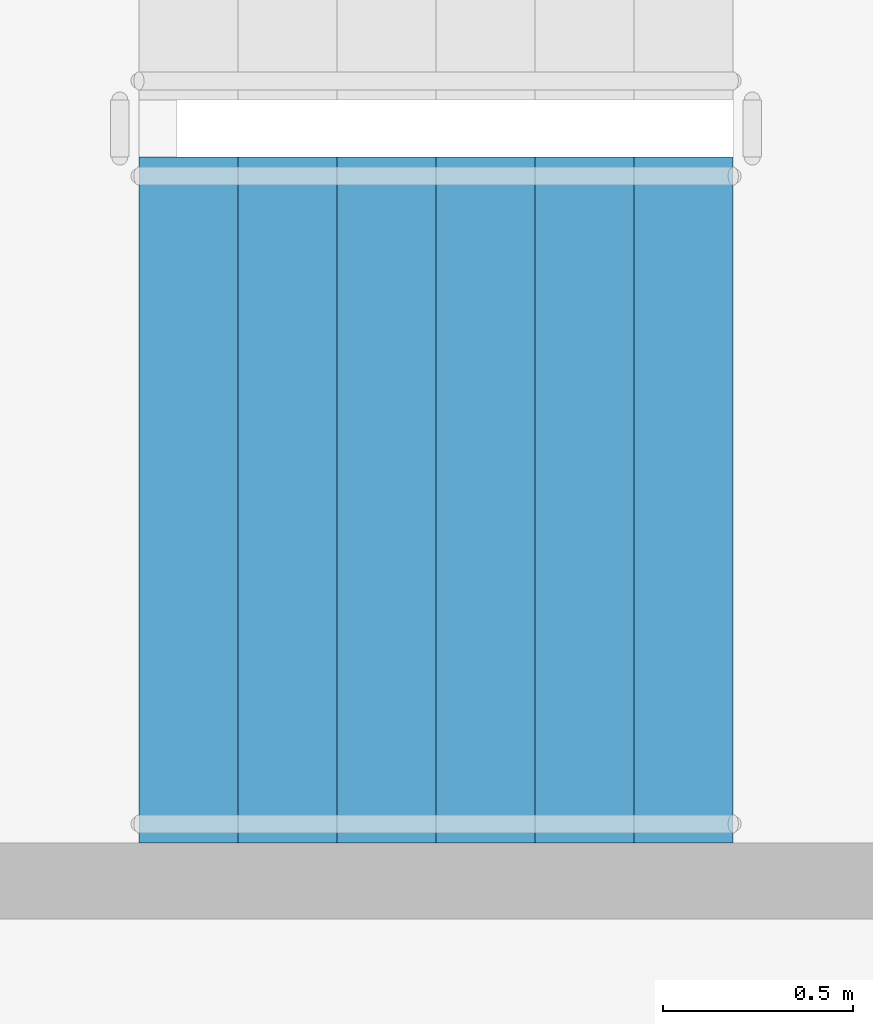
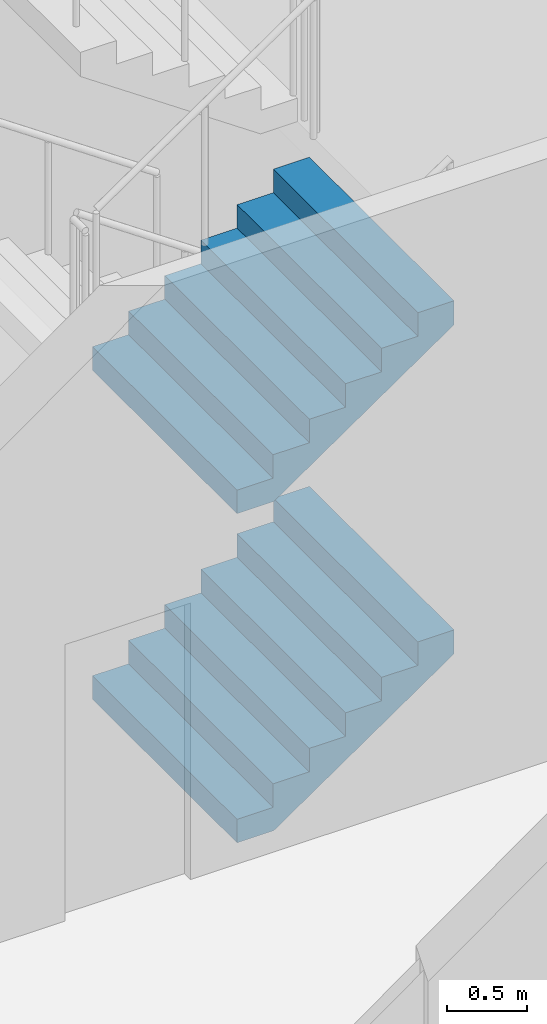
# One storey, part 26 of 59: 2 stair flights, 1 element without a shape of its own.
"""IFC4 building model written with IfcOpenShell, lengths in metres."""

from ifc_helpers import new_model, si_unit, direction, frame, origin, place, context, subcontext, project, spatial, faceted_brep, material, type_object, element, aggregate, save


model = new_model("IFC4")

# Units and contexts
model_context = context("Model", 3, precision=1e-05, world=origin(), true_north=direction((0.0, 1.0)))
body_context = subcontext(model_context, "Body", "Model", "MODEL_VIEW")
ifc_project = project(units=[si_unit("LENGTHUNIT", "METRE"), si_unit("AREAUNIT", "SQUARE_METRE"), si_unit("VOLUMEUNIT", "CUBIC_METRE"), si_unit("PLANEANGLEUNIT", "RADIAN"), si_unit("MASSUNIT", "GRAM", prefix="KILO")], contexts=[model_context])

# Site, building, storey
site_placement = place(None, origin())
site = spatial("IfcSite", under=ifc_project, at=site_placement, CompositionType="ELEMENT")
building_placement = place(site_placement, origin())
building = spatial("IfcBuilding", under=site, at=building_placement, Name="Ipe Terrace Towers", CompositionType="ELEMENT")
storey_placement = place(building_placement, frame((0.0, 0.0, 6.0)))
storey = spatial("IfcBuildingStorey", under=building, at=storey_placement, Name="L01", CompositionType="ELEMENT", Elevation=6.0)

# Stair, stair flights
ifc_material_1 = material(Name="Concrete C30/37", Category="concrete")
stair_type = type_object("IfcStairType", Name="Protected exit stair", PredefinedType="HALF_TURN_STAIR", material=ifc_material_1)
stair_placement = place(storey_placement, origin())
stair = element("IfcStair", 1, at=stair_placement, inside=storey, type_object=stair_type, Name="L01 Podium exit stair PS4", PredefinedType="HALF_TURN_STAIR")
ifc_material_2 = material(Name="Concrete C30/37", Category="concrete")
stair_flight_type = type_object("IfcStairFlightType", Name="Exit stair flight 1800", PredefinedType="STRAIGHT", material=ifc_material_2)
stair_flight_1_placement = place(storey_placement, frame((-57.27001953125, -22.5, 0.0), z_axis=(0.0, 0.0, 1.0), x_axis=(1.0, 0.0, 0.0)))
stair_flight_1 = element("IfcStairFlight", 2, at=stair_flight_1_placement, type_object=stair_flight_type, Name="PS4 flight 1", NumberOfRisers=7, NumberOfTreads=6, PredefinedType="STRAIGHT", RiserHeight=0.178571429, TreadLength=0.26, context=body_context, shape_type="Brep", body=[
    faceted_brep([(0.264892578125, -0.89990234375, 0.0), (1.56005859375, -0.89990234375, 0.8896484375), (1.56005859375, -0.89990234375, 1.071533203125), (1.300048828125, -0.89990234375, 1.071533203125), (1.300048828125, -0.89990234375, 0.892822265625), (1.0400390625, -0.89990234375, 0.892822265625), (1.0400390625, -0.89990234375, 0.71435546875), (0.780029296875, -0.89990234375, 0.71435546875), (0.780029296875, -0.89990234375, 0.53564453125), (0.52001953125, -0.89990234375, 0.53564453125), (0.52001953125, -0.89990234375, 0.357177734375), (0.260009765625, -0.89990234375, 0.357177734375), (0.260009765625, -0.89990234375, 0.178466796875), (0.0, -0.89990234375, 0.178466796875), (0.0, -0.89990234375, 0.0), (0.0, 0.89990234375, 0.0), (0.0, 0.89990234375, 0.178466796875), (0.260009765625, 0.89990234375, 0.178466796875), (0.260009765625, 0.89990234375, 0.357177734375), (0.52001953125, 0.89990234375, 0.357177734375), (0.52001953125, 0.89990234375, 0.53564453125), (0.780029296875, 0.89990234375, 0.53564453125), (0.780029296875, 0.89990234375, 0.71435546875), (1.0400390625, 0.89990234375, 0.71435546875), (1.0400390625, 0.89990234375, 0.892822265625), (1.300048828125, 0.89990234375, 0.892822265625), (1.300048828125, 0.89990234375, 1.071533203125), (1.56005859375, 0.89990234375, 1.071533203125), (1.56005859375, 0.89990234375, 0.8896484375), (0.264892578125, 0.89990234375, 0.0), (0.0, -0.300048828125, 0.178466796875), (0.0, -0.1201171875, 0.178466796875), (0.0, -0.06005859375, 0.178466796875), (0.0, -0.030029296875, 0.178466796875), (0.0, -0.010009765625, 0.178466796875), (0.0, 0.0, 0.178466796875), (0.0, 0.010009765625, 0.178466796875), (0.0, 0.030029296875, 0.178466796875), (0.0, 0.06005859375, 0.178466796875), (0.0, 0.1201171875, 0.178466796875), (0.0, 0.300048828125, 0.178466796875), (0.0, 0.300048828125, 0.0), (0.0, 0.1201171875, 0.0), (0.0, 0.06005859375, 0.0), (0.0, 0.030029296875, 0.0), (0.0, 0.010009765625, 0.0), (0.0, 0.0, 0.0), (0.0, -0.010009765625, 0.0), (0.0, -0.030029296875, 0.0), (0.0, -0.06005859375, 0.0), (0.0, -0.1201171875, 0.0), (0.0, -0.300048828125, 0.0), (0.260009765625, -0.300048828125, 0.178466796875), (0.260009765625, -0.1201171875, 0.178466796875), (0.260009765625, -0.06005859375, 0.178466796875), (0.260009765625, -0.030029296875, 0.178466796875), (0.260009765625, -0.010009765625, 0.178466796875), (0.260009765625, 0.0, 0.178466796875), (0.260009765625, 0.010009765625, 0.178466796875), (0.260009765625, 0.030029296875, 0.178466796875), (0.260009765625, 0.06005859375, 0.178466796875), (0.260009765625, 0.1201171875, 0.178466796875), (0.260009765625, 0.300048828125, 0.178466796875), (0.260009765625, -0.300048828125, 0.357177734375), (0.260009765625, -0.1201171875, 0.357177734375), (0.260009765625, -0.06005859375, 0.357177734375), (0.260009765625, -0.030029296875, 0.357177734375), (0.260009765625, -0.010009765625, 0.357177734375), (0.260009765625, 0.0, 0.357177734375), (0.260009765625, 0.010009765625, 0.357177734375), (0.260009765625, 0.030029296875, 0.357177734375), (0.260009765625, 0.06005859375, 0.357177734375), (0.260009765625, 0.1201171875, 0.357177734375), (0.260009765625, 0.300048828125, 0.357177734375), (0.52001953125, -0.300048828125, 0.357177734375), (0.52001953125, -0.1201171875, 0.357177734375), (0.52001953125, -0.06005859375, 0.357177734375), (0.52001953125, -0.030029296875, 0.357177734375), (0.52001953125, -0.010009765625, 0.357177734375), (0.52001953125, 0.0, 0.357177734375), (0.52001953125, 0.010009765625, 0.357177734375), (0.52001953125, 0.030029296875, 0.357177734375), (0.52001953125, 0.06005859375, 0.357177734375), (0.52001953125, 0.1201171875, 0.357177734375), (0.52001953125, 0.300048828125, 0.357177734375), (0.52001953125, -0.300048828125, 0.53564453125), (0.52001953125, -0.1201171875, 0.53564453125), (0.52001953125, -0.06005859375, 0.53564453125), (0.52001953125, -0.030029296875, 0.53564453125), (0.52001953125, -0.010009765625, 0.53564453125), (0.52001953125, 0.0, 0.53564453125), (0.52001953125, 0.010009765625, 0.53564453125), (0.52001953125, 0.030029296875, 0.53564453125), (0.52001953125, 0.06005859375, 0.53564453125), (0.52001953125, 0.1201171875, 0.53564453125), (0.52001953125, 0.300048828125, 0.53564453125), (0.780029296875, -0.300048828125, 0.53564453125), (0.780029296875, -0.1201171875, 0.53564453125), (0.780029296875, -0.06005859375, 0.53564453125), (0.780029296875, -0.030029296875, 0.53564453125), (0.780029296875, -0.010009765625, 0.53564453125), (0.780029296875, 0.0, 0.53564453125), (0.780029296875, 0.010009765625, 0.53564453125), (0.780029296875, 0.030029296875, 0.53564453125), (0.780029296875, 0.06005859375, 0.53564453125), (0.780029296875, 0.1201171875, 0.53564453125), (0.780029296875, 0.300048828125, 0.53564453125), (0.780029296875, -0.300048828125, 0.71435546875), (0.780029296875, -0.1201171875, 0.71435546875), (0.780029296875, -0.06005859375, 0.71435546875), (0.780029296875, -0.030029296875, 0.71435546875), (0.780029296875, -0.010009765625, 0.71435546875), (0.780029296875, 0.0, 0.71435546875), (0.780029296875, 0.010009765625, 0.71435546875), (0.780029296875, 0.030029296875, 0.71435546875), (0.780029296875, 0.06005859375, 0.71435546875), (0.780029296875, 0.1201171875, 0.71435546875), (0.780029296875, 0.300048828125, 0.71435546875), (1.0400390625, -0.300048828125, 0.71435546875), (1.0400390625, -0.1201171875, 0.71435546875), (1.0400390625, -0.06005859375, 0.71435546875), (1.0400390625, -0.030029296875, 0.71435546875), (1.0400390625, -0.010009765625, 0.71435546875), (1.0400390625, 0.0, 0.71435546875), (1.0400390625, 0.010009765625, 0.71435546875), (1.0400390625, 0.030029296875, 0.71435546875), (1.0400390625, 0.06005859375, 0.71435546875), (1.0400390625, 0.1201171875, 0.71435546875), (1.0400390625, 0.300048828125, 0.71435546875), (1.0400390625, -0.300048828125, 0.892822265625), (1.0400390625, -0.1201171875, 0.892822265625), (1.0400390625, -0.06005859375, 0.892822265625), (1.0400390625, -0.030029296875, 0.892822265625), (1.0400390625, -0.010009765625, 0.892822265625), (1.0400390625, 0.0, 0.892822265625), (1.0400390625, 0.010009765625, 0.892822265625), (1.0400390625, 0.030029296875, 0.892822265625), (1.0400390625, 0.06005859375, 0.892822265625), (1.0400390625, 0.1201171875, 0.892822265625), (1.0400390625, 0.300048828125, 0.892822265625), (1.300048828125, -0.300048828125, 0.892822265625), (1.300048828125, -0.1201171875, 0.892822265625), (1.300048828125, -0.06005859375, 0.892822265625), (1.300048828125, -0.030029296875, 0.892822265625), (1.300048828125, -0.010009765625, 0.892822265625), (1.300048828125, 0.0, 0.892822265625), (1.300048828125, 0.010009765625, 0.892822265625), (1.300048828125, 0.030029296875, 0.892822265625), (1.300048828125, 0.06005859375, 0.892822265625), (1.300048828125, 0.1201171875, 0.892822265625), (1.300048828125, 0.300048828125, 0.892822265625), (1.300048828125, -0.300048828125, 1.071533203125), (1.300048828125, -0.1201171875, 1.071533203125), (1.300048828125, -0.06005859375, 1.071533203125), (1.300048828125, -0.030029296875, 1.071533203125), (1.300048828125, -0.010009765625, 1.071533203125), (1.300048828125, 0.0, 1.071533203125), (1.300048828125, 0.010009765625, 1.071533203125), (1.300048828125, 0.030029296875, 1.071533203125), (1.300048828125, 0.06005859375, 1.071533203125), (1.300048828125, 0.1201171875, 1.071533203125), (1.300048828125, 0.300048828125, 1.071533203125), (1.56005859375, -0.300048828125, 1.071533203125), (1.56005859375, -0.1201171875, 1.071533203125), (1.56005859375, -0.06005859375, 1.071533203125), (1.56005859375, -0.030029296875, 1.071533203125), (1.56005859375, -0.010009765625, 1.071533203125), (1.56005859375, 0.0, 1.071533203125), (1.56005859375, 0.010009765625, 1.071533203125), (1.56005859375, 0.030029296875, 1.071533203125), (1.56005859375, 0.06005859375, 1.071533203125), (1.56005859375, 0.1201171875, 1.071533203125), (1.56005859375, 0.300048828125, 1.071533203125), (1.56005859375, -0.300048828125, 0.8896484375), (1.56005859375, -0.1201171875, 0.8896484375), (1.56005859375, -0.06005859375, 0.8896484375), (1.56005859375, -0.030029296875, 0.8896484375), (1.56005859375, -0.010009765625, 0.8896484375), (1.56005859375, 0.0, 0.8896484375), (1.56005859375, 0.010009765625, 0.8896484375), (1.56005859375, 0.030029296875, 0.8896484375), (1.56005859375, 0.06005859375, 0.8896484375), (1.56005859375, 0.1201171875, 0.8896484375), (1.56005859375, 0.300048828125, 0.8896484375), (0.264892578125, -0.300048828125, 0.0), (0.264892578125, -0.1201171875, 0.0), (0.264892578125, -0.06005859375, 0.0), (0.264892578125, -0.030029296875, 0.0), (0.264892578125, -0.010009765625, 0.0), (0.264892578125, 0.0, 0.0), (0.264892578125, 0.010009765625, 0.0), (0.264892578125, 0.030029296875, 0.0), (0.264892578125, 0.06005859375, 0.0), (0.264892578125, 0.1201171875, 0.0), (0.264892578125, 0.300048828125, 0.0)], [[[0, 1, 2, 3, 4, 5, 6, 7, 8, 9, 10, 11, 12, 13, 14]], [[15, 16, 17, 18, 19, 20, 21, 22, 23, 24, 25, 26, 27, 28, 29]], [[13, 30, 31, 32, 33, 34, 35, 36, 37, 38, 39, 40, 16, 15, 41, 42, 43, 44, 45, 46, 47, 48, 49, 50, 51, 14]], [[12, 52, 53, 54, 55, 56, 57, 58, 59, 60, 61, 62, 17, 16, 40, 39, 38, 37, 36, 35, 34, 33, 32, 31, 30, 13]], [[11, 63, 64, 65, 66, 67, 68, 69, 70, 71, 72, 73, 18, 17, 62, 61, 60, 59, 58, 57, 56, 55, 54, 53, 52, 12]], [[10, 74, 75, 76, 77, 78, 79, 80, 81, 82, 83, 84, 19, 18, 73, 72, 71, 70, 69, 68, 67, 66, 65, 64, 63, 11]], [[9, 85, 86, 87, 88, 89, 90, 91, 92, 93, 94, 95, 20, 19, 84, 83, 82, 81, 80, 79, 78, 77, 76, 75, 74, 10]], [[8, 96, 97, 98, 99, 100, 101, 102, 103, 104, 105, 106, 21, 20, 95, 94, 93, 92, 91, 90, 89, 88, 87, 86, 85, 9]], [[7, 107, 108, 109, 110, 111, 112, 113, 114, 115, 116, 117, 22, 21, 106, 105, 104, 103, 102, 101, 100, 99, 98, 97, 96, 8]], [[6, 118, 119, 120, 121, 122, 123, 124, 125, 126, 127, 128, 23, 22, 117, 116, 115, 114, 113, 112, 111, 110, 109, 108, 107, 7]], [[5, 129, 130, 131, 132, 133, 134, 135, 136, 137, 138, 139, 24, 23, 128, 127, 126, 125, 124, 123, 122, 121, 120, 119, 118, 6]], [[4, 140, 141, 142, 143, 144, 145, 146, 147, 148, 149, 150, 25, 24, 139, 138, 137, 136, 135, 134, 133, 132, 131, 130, 129, 5]], [[3, 151, 152, 153, 154, 155, 156, 157, 158, 159, 160, 161, 26, 25, 150, 149, 148, 147, 146, 145, 144, 143, 142, 141, 140, 4]], [[2, 162, 163, 164, 165, 166, 167, 168, 169, 170, 171, 172, 27, 26, 161, 160, 159, 158, 157, 156, 155, 154, 153, 152, 151, 3]], [[1, 173, 174, 175, 176, 177, 178, 179, 180, 181, 182, 183, 28, 27, 172, 171, 170, 169, 168, 167, 166, 165, 164, 163, 162, 2]], [[0, 184, 185, 186, 187, 188, 189, 190, 191, 192, 193, 194, 29, 28, 183, 182, 181, 180, 179, 178, 177, 176, 175, 174, 173, 1]], [[14, 51, 50, 49, 48, 47, 46, 45, 44, 43, 42, 41, 15, 29, 194, 193, 192, 191, 190, 189, 188, 187, 186, 185, 184, 0]]]),
])
stair_flight_2_placement = place(storey_placement, frame((-57.27001953125, -22.5, 2.5), z_axis=(0.0, 0.0, 1.0), x_axis=(1.0, 0.0, 0.0)))
stair_flight_2 = element("IfcStairFlight", 3, at=stair_flight_2_placement, type_object=stair_flight_type, Name="PS4 flight 3", NumberOfRisers=7, NumberOfTreads=6, PredefinedType="STRAIGHT", RiserHeight=0.178571429, TreadLength=0.26, context=body_context, shape_type="Brep", body=[
    faceted_brep([(0.264892578125, -0.89990234375, 0.0), (1.56005859375, -0.89990234375, 0.8896484375), (1.56005859375, -0.89990234375, 1.071533203125), (1.300048828125, -0.89990234375, 1.071533203125), (1.300048828125, -0.89990234375, 0.892822265625), (1.0400390625, -0.89990234375, 0.892822265625), (1.0400390625, -0.89990234375, 0.71435546875), (0.780029296875, -0.89990234375, 0.71435546875), (0.780029296875, -0.89990234375, 0.53564453125), (0.52001953125, -0.89990234375, 0.53564453125), (0.52001953125, -0.89990234375, 0.357177734375), (0.260009765625, -0.89990234375, 0.357177734375), (0.260009765625, -0.89990234375, 0.178466796875), (0.0, -0.89990234375, 0.178466796875), (0.0, -0.89990234375, 0.0), (0.0, 0.89990234375, 0.0), (0.0, 0.89990234375, 0.178466796875), (0.260009765625, 0.89990234375, 0.178466796875), (0.260009765625, 0.89990234375, 0.357177734375), (0.52001953125, 0.89990234375, 0.357177734375), (0.52001953125, 0.89990234375, 0.53564453125), (0.780029296875, 0.89990234375, 0.53564453125), (0.780029296875, 0.89990234375, 0.71435546875), (1.0400390625, 0.89990234375, 0.71435546875), (1.0400390625, 0.89990234375, 0.892822265625), (1.300048828125, 0.89990234375, 0.892822265625), (1.300048828125, 0.89990234375, 1.071533203125), (1.56005859375, 0.89990234375, 1.071533203125), (1.56005859375, 0.89990234375, 0.8896484375), (0.264892578125, 0.89990234375, 0.0), (0.0, -0.300048828125, 0.178466796875), (0.0, -0.1201171875, 0.178466796875), (0.0, -0.06005859375, 0.178466796875), (0.0, -0.030029296875, 0.178466796875), (0.0, -0.010009765625, 0.178466796875), (0.0, 0.0, 0.178466796875), (0.0, 0.010009765625, 0.178466796875), (0.0, 0.030029296875, 0.178466796875), (0.0, 0.06005859375, 0.178466796875), (0.0, 0.1201171875, 0.178466796875), (0.0, 0.300048828125, 0.178466796875), (0.0, 0.300048828125, 0.0), (0.0, 0.1201171875, 0.0), (0.0, 0.06005859375, 0.0), (0.0, 0.030029296875, 0.0), (0.0, 0.010009765625, 0.0), (0.0, 0.0, 0.0), (0.0, -0.010009765625, 0.0), (0.0, -0.030029296875, 0.0), (0.0, -0.06005859375, 0.0), (0.0, -0.1201171875, 0.0), (0.0, -0.300048828125, 0.0), (0.260009765625, -0.300048828125, 0.178466796875), (0.260009765625, -0.1201171875, 0.178466796875), (0.260009765625, -0.06005859375, 0.178466796875), (0.260009765625, -0.030029296875, 0.178466796875), (0.260009765625, -0.010009765625, 0.178466796875), (0.260009765625, 0.0, 0.178466796875), (0.260009765625, 0.010009765625, 0.178466796875), (0.260009765625, 0.030029296875, 0.178466796875), (0.260009765625, 0.06005859375, 0.178466796875), (0.260009765625, 0.1201171875, 0.178466796875), (0.260009765625, 0.300048828125, 0.178466796875), (0.260009765625, -0.300048828125, 0.357177734375), (0.260009765625, -0.1201171875, 0.357177734375), (0.260009765625, -0.06005859375, 0.357177734375), (0.260009765625, -0.030029296875, 0.357177734375), (0.260009765625, -0.010009765625, 0.357177734375), (0.260009765625, 0.0, 0.357177734375), (0.260009765625, 0.010009765625, 0.357177734375), (0.260009765625, 0.030029296875, 0.357177734375), (0.260009765625, 0.06005859375, 0.357177734375), (0.260009765625, 0.1201171875, 0.357177734375), (0.260009765625, 0.300048828125, 0.357177734375), (0.52001953125, -0.300048828125, 0.357177734375), (0.52001953125, -0.1201171875, 0.357177734375), (0.52001953125, -0.06005859375, 0.357177734375), (0.52001953125, -0.030029296875, 0.357177734375), (0.52001953125, -0.010009765625, 0.357177734375), (0.52001953125, 0.0, 0.357177734375), (0.52001953125, 0.010009765625, 0.357177734375), (0.52001953125, 0.030029296875, 0.357177734375), (0.52001953125, 0.06005859375, 0.357177734375), (0.52001953125, 0.1201171875, 0.357177734375), (0.52001953125, 0.300048828125, 0.357177734375), (0.52001953125, -0.300048828125, 0.53564453125), (0.52001953125, -0.1201171875, 0.53564453125), (0.52001953125, -0.06005859375, 0.53564453125), (0.52001953125, -0.030029296875, 0.53564453125), (0.52001953125, -0.010009765625, 0.53564453125), (0.52001953125, 0.0, 0.53564453125), (0.52001953125, 0.010009765625, 0.53564453125), (0.52001953125, 0.030029296875, 0.53564453125), (0.52001953125, 0.06005859375, 0.53564453125), (0.52001953125, 0.1201171875, 0.53564453125), (0.52001953125, 0.300048828125, 0.53564453125), (0.780029296875, -0.300048828125, 0.53564453125), (0.780029296875, -0.1201171875, 0.53564453125), (0.780029296875, -0.06005859375, 0.53564453125), (0.780029296875, -0.030029296875, 0.53564453125), (0.780029296875, -0.010009765625, 0.53564453125), (0.780029296875, 0.0, 0.53564453125), (0.780029296875, 0.010009765625, 0.53564453125), (0.780029296875, 0.030029296875, 0.53564453125), (0.780029296875, 0.06005859375, 0.53564453125), (0.780029296875, 0.1201171875, 0.53564453125), (0.780029296875, 0.300048828125, 0.53564453125), (0.780029296875, -0.300048828125, 0.71435546875), (0.780029296875, -0.1201171875, 0.71435546875), (0.780029296875, -0.06005859375, 0.71435546875), (0.780029296875, -0.030029296875, 0.71435546875), (0.780029296875, -0.010009765625, 0.71435546875), (0.780029296875, 0.0, 0.71435546875), (0.780029296875, 0.010009765625, 0.71435546875), (0.780029296875, 0.030029296875, 0.71435546875), (0.780029296875, 0.06005859375, 0.71435546875), (0.780029296875, 0.1201171875, 0.71435546875), (0.780029296875, 0.300048828125, 0.71435546875), (1.0400390625, -0.300048828125, 0.71435546875), (1.0400390625, -0.1201171875, 0.71435546875), (1.0400390625, -0.06005859375, 0.71435546875), (1.0400390625, -0.030029296875, 0.71435546875), (1.0400390625, -0.010009765625, 0.71435546875), (1.0400390625, 0.0, 0.71435546875), (1.0400390625, 0.010009765625, 0.71435546875), (1.0400390625, 0.030029296875, 0.71435546875), (1.0400390625, 0.06005859375, 0.71435546875), (1.0400390625, 0.1201171875, 0.71435546875), (1.0400390625, 0.300048828125, 0.71435546875), (1.0400390625, -0.300048828125, 0.892822265625), (1.0400390625, -0.1201171875, 0.892822265625), (1.0400390625, -0.06005859375, 0.892822265625), (1.0400390625, -0.030029296875, 0.892822265625), (1.0400390625, -0.010009765625, 0.892822265625), (1.0400390625, 0.0, 0.892822265625), (1.0400390625, 0.010009765625, 0.892822265625), (1.0400390625, 0.030029296875, 0.892822265625), (1.0400390625, 0.06005859375, 0.892822265625), (1.0400390625, 0.1201171875, 0.892822265625), (1.0400390625, 0.300048828125, 0.892822265625), (1.300048828125, -0.300048828125, 0.892822265625), (1.300048828125, -0.1201171875, 0.892822265625), (1.300048828125, -0.06005859375, 0.892822265625), (1.300048828125, -0.030029296875, 0.892822265625), (1.300048828125, -0.010009765625, 0.892822265625), (1.300048828125, 0.0, 0.892822265625), (1.300048828125, 0.010009765625, 0.892822265625), (1.300048828125, 0.030029296875, 0.892822265625), (1.300048828125, 0.06005859375, 0.892822265625), (1.300048828125, 0.1201171875, 0.892822265625), (1.300048828125, 0.300048828125, 0.892822265625), (1.300048828125, -0.300048828125, 1.071533203125), (1.300048828125, -0.1201171875, 1.071533203125), (1.300048828125, -0.06005859375, 1.071533203125), (1.300048828125, -0.030029296875, 1.071533203125), (1.300048828125, -0.010009765625, 1.071533203125), (1.300048828125, 0.0, 1.071533203125), (1.300048828125, 0.010009765625, 1.071533203125), (1.300048828125, 0.030029296875, 1.071533203125), (1.300048828125, 0.06005859375, 1.071533203125), (1.300048828125, 0.1201171875, 1.071533203125), (1.300048828125, 0.300048828125, 1.071533203125), (1.56005859375, -0.300048828125, 1.071533203125), (1.56005859375, -0.1201171875, 1.071533203125), (1.56005859375, -0.06005859375, 1.071533203125), (1.56005859375, -0.030029296875, 1.071533203125), (1.56005859375, -0.010009765625, 1.071533203125), (1.56005859375, 0.0, 1.071533203125), (1.56005859375, 0.010009765625, 1.071533203125), (1.56005859375, 0.030029296875, 1.071533203125), (1.56005859375, 0.06005859375, 1.071533203125), (1.56005859375, 0.1201171875, 1.071533203125), (1.56005859375, 0.300048828125, 1.071533203125), (1.56005859375, -0.300048828125, 0.8896484375), (1.56005859375, -0.1201171875, 0.8896484375), (1.56005859375, -0.06005859375, 0.8896484375), (1.56005859375, -0.030029296875, 0.8896484375), (1.56005859375, -0.010009765625, 0.8896484375), (1.56005859375, 0.0, 0.8896484375), (1.56005859375, 0.010009765625, 0.8896484375), (1.56005859375, 0.030029296875, 0.8896484375), (1.56005859375, 0.06005859375, 0.8896484375), (1.56005859375, 0.1201171875, 0.8896484375), (1.56005859375, 0.300048828125, 0.8896484375), (0.264892578125, -0.300048828125, 0.0), (0.264892578125, -0.1201171875, 0.0), (0.264892578125, -0.06005859375, 0.0), (0.264892578125, -0.030029296875, 0.0), (0.264892578125, -0.010009765625, 0.0), (0.264892578125, 0.0, 0.0), (0.264892578125, 0.010009765625, 0.0), (0.264892578125, 0.030029296875, 0.0), (0.264892578125, 0.06005859375, 0.0), (0.264892578125, 0.1201171875, 0.0), (0.264892578125, 0.300048828125, 0.0)], [[[0, 1, 2, 3, 4, 5, 6, 7, 8, 9, 10, 11, 12, 13, 14]], [[15, 16, 17, 18, 19, 20, 21, 22, 23, 24, 25, 26, 27, 28, 29]], [[13, 30, 31, 32, 33, 34, 35, 36, 37, 38, 39, 40, 16, 15, 41, 42, 43, 44, 45, 46, 47, 48, 49, 50, 51, 14]], [[12, 52, 53, 54, 55, 56, 57, 58, 59, 60, 61, 62, 17, 16, 40, 39, 38, 37, 36, 35, 34, 33, 32, 31, 30, 13]], [[11, 63, 64, 65, 66, 67, 68, 69, 70, 71, 72, 73, 18, 17, 62, 61, 60, 59, 58, 57, 56, 55, 54, 53, 52, 12]], [[10, 74, 75, 76, 77, 78, 79, 80, 81, 82, 83, 84, 19, 18, 73, 72, 71, 70, 69, 68, 67, 66, 65, 64, 63, 11]], [[9, 85, 86, 87, 88, 89, 90, 91, 92, 93, 94, 95, 20, 19, 84, 83, 82, 81, 80, 79, 78, 77, 76, 75, 74, 10]], [[8, 96, 97, 98, 99, 100, 101, 102, 103, 104, 105, 106, 21, 20, 95, 94, 93, 92, 91, 90, 89, 88, 87, 86, 85, 9]], [[7, 107, 108, 109, 110, 111, 112, 113, 114, 115, 116, 117, 22, 21, 106, 105, 104, 103, 102, 101, 100, 99, 98, 97, 96, 8]], [[6, 118, 119, 120, 121, 122, 123, 124, 125, 126, 127, 128, 23, 22, 117, 116, 115, 114, 113, 112, 111, 110, 109, 108, 107, 7]], [[5, 129, 130, 131, 132, 133, 134, 135, 136, 137, 138, 139, 24, 23, 128, 127, 126, 125, 124, 123, 122, 121, 120, 119, 118, 6]], [[4, 140, 141, 142, 143, 144, 145, 146, 147, 148, 149, 150, 25, 24, 139, 138, 137, 136, 135, 134, 133, 132, 131, 130, 129, 5]], [[3, 151, 152, 153, 154, 155, 156, 157, 158, 159, 160, 161, 26, 25, 150, 149, 148, 147, 146, 145, 144, 143, 142, 141, 140, 4]], [[2, 162, 163, 164, 165, 166, 167, 168, 169, 170, 171, 172, 27, 26, 161, 160, 159, 158, 157, 156, 155, 154, 153, 152, 151, 3]], [[1, 173, 174, 175, 176, 177, 178, 179, 180, 181, 182, 183, 28, 27, 172, 171, 170, 169, 168, 167, 166, 165, 164, 163, 162, 2]], [[0, 184, 185, 186, 187, 188, 189, 190, 191, 192, 193, 194, 29, 28, 183, 182, 181, 180, 179, 178, 177, 176, 175, 174, 173, 1]], [[14, 51, 50, 49, 48, 47, 46, 45, 44, 43, 42, 41, 15, 29, 194, 193, 192, 191, 190, 189, 188, 187, 186, 185, 184, 0]]]),
])
aggregate(stair, [stair_flight_1, stair_flight_2])

save(model, "model.ifc")
